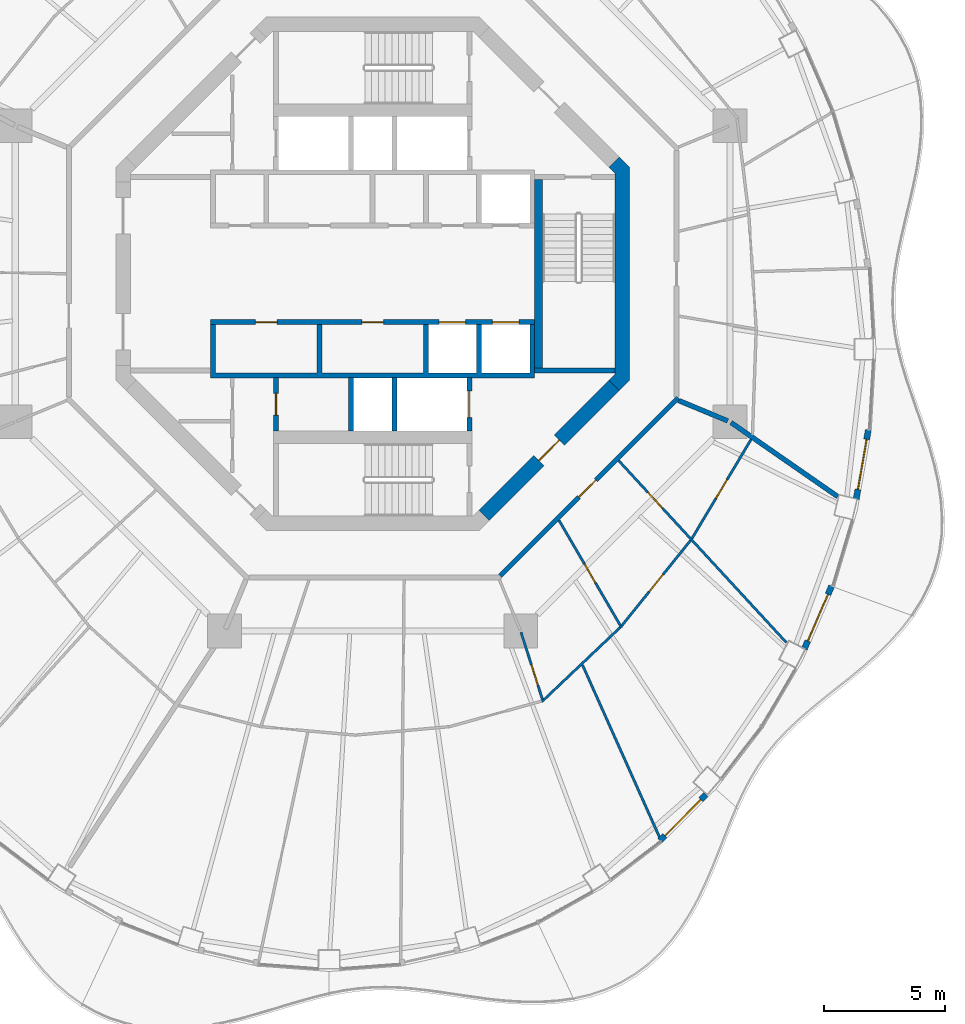
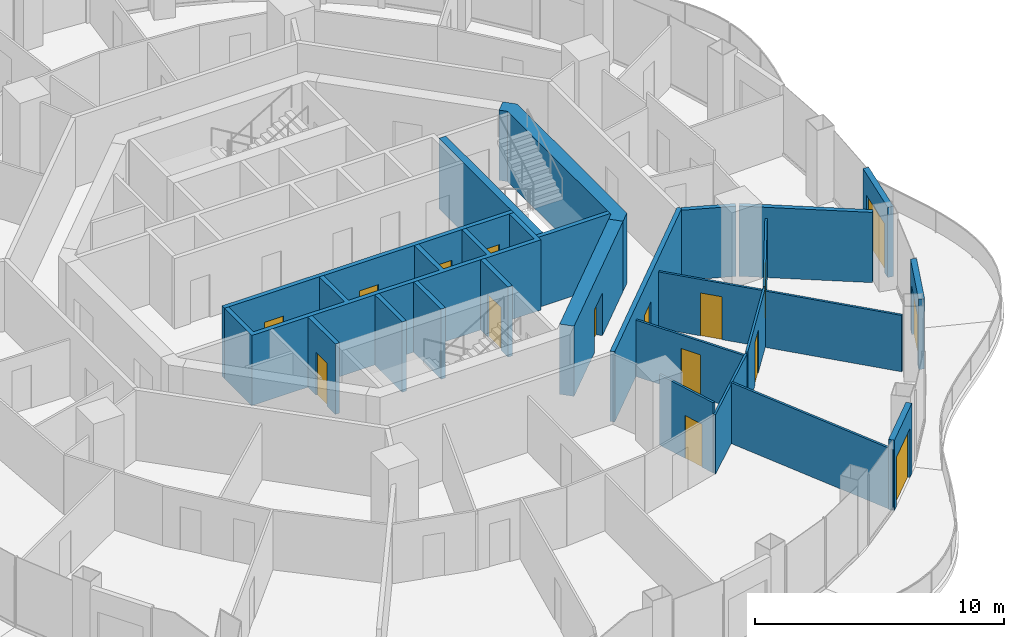
# One storey, part 11 of 17: 23 walls, 16 doors, 16 openings.
"""IFC4 building model written with IfcOpenShell, lengths in metres."""

from ifc_helpers import new_model, si_unit, direction, frame, frame_2d, origin, place, context, subcontext, project, spatial, polyline, rectangle, outline, extrude, material, layer, layer_set, type_object, element, fill, save


model = new_model("IFC4")

# Units and contexts
model_context = context("Model", 3, precision=1e-05, world=origin(), true_north=direction((0.0, 1.0)))
body_context = subcontext(model_context, "Body", "Model", "MODEL_VIEW")
ifc_project = project(units=[si_unit("LENGTHUNIT", "METRE"), si_unit("AREAUNIT", "SQUARE_METRE"), si_unit("VOLUMEUNIT", "CUBIC_METRE"), si_unit("PLANEANGLEUNIT", "RADIAN"), si_unit("MASSUNIT", "GRAM", prefix="KILO")], contexts=[model_context])

# Site, building, storey
site_placement = place(None, origin())
site = spatial("IfcSite", under=ifc_project, at=site_placement, CompositionType="ELEMENT")
building_placement = place(site_placement, origin())
building = spatial("IfcBuilding", under=site, at=building_placement, Name="Nagisa Residences", CompositionType="ELEMENT")
storey_placement = place(building_placement, frame((0.0, 0.0, 265.89990234375)))
storey = spatial("IfcBuildingStorey", under=building, at=storey_placement, Name="L67", CompositionType="ELEMENT", Elevation=265.89990234375)

# Walls
ifc_material_1 = material(Name="Gypsum board on steel studs", Category="steel")
ifc_layer_1 = layer(ifc_material_1, 0.199951171875)
ifc_layer_set_1 = layer_set([ifc_layer_1], Name="Apartment compartment wall EI60 200")
wall_type_1 = type_object("IfcWallType", Name="Apartment compartment wall EI60 200", PredefinedType="PARTITIONING", material=ifc_layer_set_1)
wall_1_placement = place(storey_placement, frame((12.6572265625, -5.24267578125, 0.0), z_axis=(0.0, 0.0, 1.0), x_axis=(0.92383017907, -0.382802560388, 0.0)))
element("IfcWall", 1, at=wall_1_placement, inside=storey, type_object=wall_type_1, Name="wall:L67:u06", PredefinedType="PARTITIONING", context=body_context, shape_type="SweptSolid", body=[
    extrude(rectangle(XDim=2.2001953125, YDim=0.199951171875, at=frame_2d((1.10009765625, 0.0))), origin(), (0.0, 0.0, 1.0), 3.440185546875),
])
wall_2_placement = place(storey_placement, frame((14.8232421875, -6.1513671875, 0.0), z_axis=(0.0, 0.0, 1.0), x_axis=(0.821435065081, -0.570302054928, 0.0)))
element("IfcWall", 2, at=wall_2_placement, inside=storey, type_object=wall_type_1, Name="wall:L67:u07", PredefinedType="PARTITIONING", context=body_context, shape_type="SweptSolid", body=[
    extrude(rectangle(XDim=5.3681640625, YDim=0.199951171875, at=frame_2d((2.68408203125, 0.0))), origin(), (0.0, 0.0, 1.0), 3.440185546875),
])

# Wall, opening, door
ifc_material_2 = material(Name="Gypsum board on steel studs", Category="steel")
ifc_layer_2 = layer(ifc_material_2, 0.199951171875)
ifc_layer_set_2 = layer_set([ifc_layer_2], Name="Apartment entry wall EI60 200")
wall_type_2 = type_object("IfcWallType", Name="Apartment entry wall EI60 200", PredefinedType="PARTITIONING", material=ifc_layer_set_2)
wall_3_placement = place(storey_placement, frame((5.275146484375, -12.494140625, 0.0), z_axis=(0.0, 0.0, 1.0), x_axis=(0.707106781187, 0.707106781187, 0.0)))
wall_3 = element("IfcWall", 3, at=wall_3_placement, inside=storey, type_object=wall_type_2, Name="wall:L67:u15", PredefinedType="PARTITIONING", context=body_context, shape_type="SweptSolid", body=[
    extrude(rectangle(XDim=10.4091796875, YDim=0.199951171875, at=frame_2d((5.20458984375, 0.0))), origin(), (0.0, 0.0, 1.0), 3.440185546875),
])
opening_1_placement = place(wall_3_placement, frame((4.6044921875, 0.0, 0.0)))
opening_1 = element("IfcOpeningElement", 4, at=opening_1_placement, cuts=wall_3, Name="Opening L67-U28", PredefinedType="OPENING", context=body_context, shape_type="SweptSolid", body=[
    extrude(rectangle(XDim=1.0, YDim=2.10009765625, at=frame_2d((0.5, 1.050048828125))), frame((0.0, 0.10986328125, 0.0), z_axis=(0.0, -1.0, 0.0), x_axis=(1.0, 0.0, 0.0)), (0.0, 0.0, 1.0), 0.219970703125),
])
ifc_material_3 = material(Name="Timber fire door set", Category="wood")
door_type_1 = type_object("IfcDoorType", Name="Apartment entry door FD30S 1000x2100", OperationType="NOTDEFINED", PredefinedType="DOOR", material=ifc_material_3)
door_1_placement = place(opening_1_placement, frame((1.0, 0.0, 0.0), x_axis=(-1.0, 0.0, 0.0)))
door_1 = element("IfcDoor", 5, at=door_1_placement, inside=storey, type_object=door_type_1, Name="Entry door, Apartment 67D", OperationType="SINGLE_SWING_LEFT", OverallHeight=2.10009765625, OverallWidth=1.0, PredefinedType="DOOR", context=body_context, shape_type="SweptSolid", body=[
    extrude(rectangle(XDim=1.0, YDim=2.10009765625, at=frame_2d((0.5, 1.050048828125))), frame((0.0, 0.02490234375, 0.0), z_axis=(0.0, -1.0, 0.0), x_axis=(1.0, 0.0, 0.0)), (0.0, 0.0, 1.0), 0.050048828125),
])
fill(opening_1, door_1)

ifc_material_4 = material(Name="Gypsum board on steel studs", Category="steel")
ifc_layer_3 = layer(ifc_material_4, 0.10009765625)
ifc_layer_set_3 = layer_set([ifc_layer_3], Name="Apartment partition 100")
wall_type_3 = type_object("IfcWallType", Name="Apartment partition 100", PredefinedType="PARTITIONING", material=ifc_layer_set_3)
wall_4_placement = place(storey_placement, frame((6.13818359375, -14.82958984375, 0.0), z_axis=(0.0, 0.0, 1.0), x_axis=(0.303665801704, -0.952778610631, 0.0)))
wall_4 = element("IfcWall", 6, at=wall_4_placement, inside=storey, type_object=wall_type_3, Name="wall:L67:u62", PredefinedType="PARTITIONING", context=body_context, shape_type="SweptSolid", body=[
    extrude(rectangle(XDim=2.921630859375, YDim=0.10009765625, at=frame_2d((1.4609375, 0.0))), origin(), (0.0, 0.0, 1.0), 3.440185546875),
])
opening_2_placement = place(wall_4_placement, frame((1.4072265625, 0.0, 0.0)))
opening_2 = element("IfcOpeningElement", 7, at=opening_2_placement, cuts=wall_4, Name="Opening L67-U33", PredefinedType="OPENING", context=body_context, shape_type="SweptSolid", body=[
    extrude(rectangle(XDim=0.89990234375, YDim=2.10009765625, at=frame_2d((0.449951171875, 1.050048828125))), frame((0.0, 0.06005859375, 0.0), z_axis=(0.0, -1.0, 0.0), x_axis=(1.0, 0.0, 0.0)), (0.0, 0.0, 1.0), 0.1201171875),
])
ifc_material_5 = material(Name="Timber door set", Category="wood")
door_type_2 = type_object("IfcDoorType", Name="Apartment door 900x2100", OperationType="NOTDEFINED", PredefinedType="DOOR", material=ifc_material_5)
door_2_placement = place(opening_2_placement, frame((0.89990234375, 0.0, 0.0), x_axis=(-1.0, 0.0, 0.0)))
door_2 = element("IfcDoor", 8, at=door_2_placement, inside=storey, type_object=door_type_2, Name="Door to laundry, Apartment 67D", OperationType="SINGLE_SWING_RIGHT", OverallHeight=2.10009765625, OverallWidth=0.89990234375, PredefinedType="DOOR", context=body_context, shape_type="SweptSolid", body=[
    extrude(rectangle(XDim=0.89990234375, YDim=2.10009765625, at=frame_2d((0.449951171875, 1.050048828125))), frame((0.0, 0.02490234375, 0.0), z_axis=(0.0, -1.0, 0.0), x_axis=(1.0, 0.0, 0.0)), (0.0, 0.0, 1.0), 0.050048828125),
])
fill(opening_2, door_2)

# Walls
wall_5_placement = place(storey_placement, frame((7.004150390625, -17.6953125, 0.0), z_axis=(0.0, 0.0, 1.0), x_axis=(0.725438442765, 0.68828705186, 0.0)))
element("IfcWall", 9, at=wall_5_placement, inside=storey, type_object=wall_type_3, Name="wall:L67:u63", PredefinedType="PARTITIONING", context=body_context, shape_type="SweptSolid", body=[
    extrude(rectangle(XDim=4.45556640625, YDim=0.10009765625, at=frame_2d((2.227783203125, 0.0))), origin(), (0.0, 0.0, 1.0), 2.905029296875),
])
wall_6_placement = place(storey_placement, frame((8.677001953125, -16.17333984375, 0.0), z_axis=(0.0, 0.0, 1.0), x_axis=(0.408174671437, -0.912903849043, 0.0)))
element("IfcWall", 10, at=wall_6_placement, inside=storey, type_object=wall_type_3, Name="wall:L67:u64", PredefinedType="PARTITIONING", context=body_context, shape_type="SweptSolid", body=[
    extrude(rectangle(XDim=8.028076171875, YDim=0.10009765625, at=frame_2d((4.01416015625, 0.0))), origin(), (0.0, 0.0, 1.0), 2.983154296875),
])

# Wall, opening, door
wall_7_placement = place(storey_placement, frame((7.708251953125, -10.19775390625, 0.0), z_axis=(0.0, 0.0, 1.0), x_axis=(0.503838537732, -0.863797851292, 0.0)))
wall_7 = element("IfcWall", 11, at=wall_7_placement, inside=storey, type_object=wall_type_3, Name="wall:L67:u65", PredefinedType="PARTITIONING", context=body_context, shape_type="SweptSolid", body=[
    extrude(rectangle(XDim=5.1396484375, YDim=0.10009765625, at=frame_2d((2.56982421875, 0.0))), origin(), (0.0, 0.0, 1.0), 2.76220703125),
])
opening_3_placement = place(wall_7_placement, frame((2.094970703125, 0.0, 0.0)))
opening_3 = element("IfcOpeningElement", 12, at=opening_3_placement, cuts=wall_7, Name="Opening L67-U29", PredefinedType="OPENING", context=body_context, shape_type="SweptSolid", body=[
    extrude(rectangle(XDim=0.89990234375, YDim=2.10009765625, at=frame_2d((0.449951171875, 1.050048828125))), frame((0.0, 0.06005859375, 0.0), z_axis=(0.0, -1.0, 0.0), x_axis=(1.0, 0.0, 0.0)), (0.0, 0.0, 1.0), 0.1201171875),
])
door_3_placement = place(opening_3_placement, frame((0.89990234375, 0.0, 0.0), x_axis=(-1.0, 0.0, 0.0)))
door_3 = element("IfcDoor", 13, at=door_3_placement, inside=storey, type_object=door_type_2, Name="Door to family bathroom, Apartment 67D", OperationType="SINGLE_SWING_RIGHT", OverallHeight=2.10009765625, OverallWidth=0.89990234375, PredefinedType="DOOR", context=body_context, shape_type="SweptSolid", body=[
    extrude(rectangle(XDim=0.89990234375, YDim=2.10009765625, at=frame_2d((0.449951171875, 1.050048828125))), frame((0.0, 0.02490234375, 0.0), z_axis=(0.0, -1.0, 0.0), x_axis=(1.0, 0.0, 0.0)), (0.0, 0.0, 1.0), 0.050048828125),
])
fill(opening_3, door_3)

wall_8_placement = place(storey_placement, frame((10.303955078125, -14.555419921875, 0.0), z_axis=(0.0, 0.0, 1.0), x_axis=(0.628170338674, 0.778075848237, 0.0)))
wall_8 = element("IfcWall", 14, at=wall_8_placement, inside=storey, type_object=wall_type_3, Name="wall:L67:u66", PredefinedType="PARTITIONING", context=body_context, shape_type="SweptSolid", body=[
    extrude(rectangle(XDim=4.532470703125, YDim=0.10009765625, at=frame_2d((2.26611328125, 0.0))), origin(), (0.0, 0.0, 1.0), 2.905029296875),
])
opening_4_placement = place(wall_8_placement, frame((1.816162109375, 0.0, 0.0)))
opening_4 = element("IfcOpeningElement", 15, at=opening_4_placement, cuts=wall_8, Name="Opening L67-U31", PredefinedType="OPENING", context=body_context, shape_type="SweptSolid", body=[
    extrude(rectangle(XDim=0.89990234375, YDim=2.10009765625, at=frame_2d((0.449951171875, 1.050048828125))), frame((0.0, 0.06005859375, 0.0), z_axis=(0.0, -1.0, 0.0), x_axis=(1.0, 0.0, 0.0)), (0.0, 0.0, 1.0), 0.1201171875),
])
door_4_placement = place(opening_4_placement, frame((0.89990234375, 0.0, 0.0), x_axis=(-1.0, 0.0, 0.0)))
door_4 = element("IfcDoor", 16, at=door_4_placement, inside=storey, type_object=door_type_2, Name="Door to master bedroom, Apartment 67D", OperationType="SINGLE_SWING_RIGHT", OverallHeight=2.10009765625, OverallWidth=0.89990234375, PredefinedType="DOOR", context=body_context, shape_type="SweptSolid", body=[
    extrude(rectangle(XDim=0.89990234375, YDim=2.10009765625, at=frame_2d((0.449951171875, 1.050048828125))), frame((0.0, 0.02490234375, 0.0), z_axis=(0.0, -1.0, 0.0), x_axis=(1.0, 0.0, 0.0)), (0.0, 0.0, 1.0), 0.050048828125),
])
fill(opening_4, door_4)

wall_9_placement = place(storey_placement, frame((10.17919921875, -7.7314453125, 0.0), z_axis=(0.0, 0.0, 1.0), x_axis=(0.67775318564, -0.73528947997, 0.0)))
wall_9 = element("IfcWall", 17, at=wall_9_placement, inside=storey, type_object=wall_type_3, Name="wall:L67:u67", PredefinedType="PARTITIONING", context=body_context, shape_type="SweptSolid", body=[
    extrude(rectangle(XDim=10.221923828125, YDim=0.10009765625, at=frame_2d((5.11083984375, 0.0))), origin(), (0.0, 0.0, 1.0), 2.76220703125),
])
opening_5_placement = place(wall_9_placement, frame((1.765625, 0.0, 0.0)))
opening_5 = element("IfcOpeningElement", 18, at=opening_5_placement, cuts=wall_9, Name="Opening L67-U30", PredefinedType="OPENING", context=body_context, shape_type="SweptSolid", body=[
    extrude(rectangle(XDim=0.89990234375, YDim=2.10009765625, at=frame_2d((0.449951171875, 1.050048828125))), frame((0.0, 0.06005859375, 0.0), z_axis=(0.0, -1.0, 0.0), x_axis=(1.0, 0.0, 0.0)), (0.0, 0.0, 1.0), 0.1201171875),
])
door_5_placement = place(opening_5_placement, origin())
door_5 = element("IfcDoor", 19, at=door_5_placement, inside=storey, type_object=door_type_2, Name="Door to laundry, Apartment 67D", OperationType="SINGLE_SWING_RIGHT", OverallHeight=2.10009765625, OverallWidth=0.89990234375, PredefinedType="DOOR", context=body_context, shape_type="SweptSolid", body=[
    extrude(rectangle(XDim=0.89990234375, YDim=2.10009765625, at=frame_2d((0.449951171875, 1.050048828125))), frame((0.0, 0.02490234375, 0.0), z_axis=(0.0, -1.0, 0.0), x_axis=(1.0, 0.0, 0.0)), (0.0, 0.0, 1.0), 0.050048828125),
])
fill(opening_5, door_5)

wall_10_placement = place(storey_placement, frame((13.208251953125, -10.947021484375, 0.0), z_axis=(0.0, 0.0, 1.0), x_axis=(0.512726452516, 0.858552028063, 0.0)))
wall_10 = element("IfcWall", 20, at=wall_10_placement, inside=storey, type_object=wall_type_3, Name="wall:L67:u68", PredefinedType="PARTITIONING", context=body_context, shape_type="SweptSolid", body=[
    extrude(rectangle(XDim=4.771728515625, YDim=0.10009765625, at=frame_2d((2.3857421875, 0.0))), origin(), (0.0, 0.0, 1.0), 2.905029296875),
])
opening_6_placement = place(wall_10_placement, frame((1.935791015625, 0.0, 0.0)))
opening_6 = element("IfcOpeningElement", 21, at=opening_6_placement, cuts=wall_10, Name="Opening L67-U32", PredefinedType="OPENING", context=body_context, shape_type="SweptSolid", body=[
    extrude(rectangle(XDim=0.89990234375, YDim=2.10009765625, at=frame_2d((0.449951171875, 1.050048828125))), frame((0.0, 0.06005859375, 0.0), z_axis=(0.0, -1.0, 0.0), x_axis=(1.0, 0.0, 0.0)), (0.0, 0.0, 1.0), 0.1201171875),
])
door_6_placement = place(opening_6_placement, frame((0.89990234375, 0.0, 0.0), x_axis=(-1.0, 0.0, 0.0)))
door_6 = element("IfcDoor", 22, at=door_6_placement, inside=storey, type_object=door_type_2, Name="Door to kitchen, Apartment 67D", OperationType="SINGLE_SWING_LEFT", OverallHeight=2.10009765625, OverallWidth=0.89990234375, PredefinedType="DOOR", context=body_context, shape_type="SweptSolid", body=[
    extrude(rectangle(XDim=0.89990234375, YDim=2.10009765625, at=frame_2d((0.449951171875, 1.050048828125))), frame((0.0, 0.02490234375, 0.0), z_axis=(0.0, -1.0, 0.0), x_axis=(1.0, 0.0, 0.0)), (0.0, 0.0, 1.0), 0.050048828125),
])
fill(opening_6, door_6)

ifc_material_6 = material(Name="Precast concrete C40/50", Category="concrete")
ifc_layer_4 = layer(ifc_material_6, 0.25)
ifc_layer_set_4 = layer_set([ifc_layer_4], Name="BALCONY DOOR WALL 250")
wall_type_4 = type_object("IfcWallType", Name="BALCONY DOOR WALL 250", PredefinedType="SOLIDWALL", material=ifc_layer_set_4)
wall_11_placement = place(storey_placement, frame((13.787841796875, -21.548095703125, 0.0), z_axis=(0.0, 0.0, 1.0), x_axis=(-0.707831739508, -0.706381078841, 0.0)))
wall_11 = element("IfcWall", 23, at=wall_11_placement, inside=storey, type_object=wall_type_4, Name="wall:L67:bay41", PredefinedType="SOLIDWALL", context=body_context, shape_type="SweptSolid", body=[
    extrude(rectangle(XDim=2.692626953125, YDim=0.25, at=frame_2d((1.34619140625, 0.0))), origin(), (0.0, 0.0, 1.0), 3.440185546875),
])
opening_7_placement = place(wall_11_placement, frame((0.29638671875, 0.0, 0.0)))
opening_7 = element("IfcOpeningElement", 24, at=opening_7_placement, cuts=wall_11, Name="Opening BD-L67-14", PredefinedType="OPENING", context=body_context, shape_type="SweptSolid", body=[
    extrude(rectangle(XDim=2.10009765625, YDim=2.39990234375, at=frame_2d((1.050048828125, 1.199951171875))), frame((0.0, 0.135009765625, 0.0), z_axis=(0.0, -1.0, 0.0), x_axis=(1.0, 0.0, 0.0)), (0.0, 0.0, 1.0), 0.27001953125),
])
ifc_material_7 = material(Name="Aluminium and clear glass", Category="aluminium")
door_type_3 = type_object("IfcDoorType", Name="BALCONY SLIDING DOOR 2100x2400", OperationType="SLIDING_TO_LEFT", PredefinedType="DOOR", material=ifc_material_7)
door_7_placement = place(opening_7_placement, origin())
door_7 = element("IfcDoor", 25, at=door_7_placement, inside=storey, type_object=door_type_3, Name="door:L67:bay41", OperationType="SLIDING_TO_LEFT", OverallHeight=2.39990234375, OverallWidth=2.10009765625, PredefinedType="DOOR", context=body_context, shape_type="SweptSolid", body=[
    extrude(rectangle(XDim=2.10009765625, YDim=2.39990234375, at=frame_2d((1.050048828125, 1.199951171875))), frame((0.0, 0.02490234375, 0.0), z_axis=(0.0, -1.0, 0.0), x_axis=(1.0, 0.0, 0.0)), (0.0, 0.0, 1.0), 0.050048828125),
])
fill(opening_7, door_7)

wall_12_placement = place(storey_placement, frame((18.9833984375, -12.918212890625, 0.0), z_axis=(0.0, 0.0, 1.0), x_axis=(-0.397597791596, -0.9175598052, 0.0)))
wall_12 = element("IfcWall", 26, at=wall_12_placement, inside=storey, type_object=wall_type_4, Name="wall:L67:bay44", PredefinedType="SOLIDWALL", context=body_context, shape_type="SweptSolid", body=[
    extrude(rectangle(XDim=2.841064453125, YDim=0.25, at=frame_2d((1.42041015625, 0.0))), origin(), (0.0, 0.0, 1.0), 3.440185546875),
])
opening_8_placement = place(wall_12_placement, frame((0.37060546875, 0.0, 0.0)))
opening_8 = element("IfcOpeningElement", 27, at=opening_8_placement, cuts=wall_12, Name="Opening BD-L67-15", PredefinedType="OPENING", context=body_context, shape_type="SweptSolid", body=[
    extrude(rectangle(XDim=2.10009765625, YDim=2.39990234375, at=frame_2d((1.050048828125, 1.199951171875))), frame((0.0, 0.135009765625, 0.0), z_axis=(0.0, -1.0, 0.0), x_axis=(1.0, 0.0, 0.0)), (0.0, 0.0, 1.0), 0.27001953125),
])
door_8_placement = place(opening_8_placement, origin())
door_8 = element("IfcDoor", 28, at=door_8_placement, inside=storey, type_object=door_type_3, Name="door:L67:bay44", OperationType="SLIDING_TO_LEFT", OverallHeight=2.39990234375, OverallWidth=2.10009765625, PredefinedType="DOOR", context=body_context, shape_type="SweptSolid", body=[
    extrude(rectangle(XDim=2.10009765625, YDim=2.39990234375, at=frame_2d((1.050048828125, 1.199951171875))), frame((0.0, 0.02490234375, 0.0), z_axis=(0.0, -1.0, 0.0), x_axis=(1.0, 0.0, 0.0)), (0.0, 0.0, 1.0), 0.050048828125),
])
fill(opening_8, door_8)

wall_13_placement = place(storey_placement, frame((20.50341796875, -6.455810546875, 0.0), z_axis=(0.0, 0.0, 1.0), x_axis=(-0.172182411767, -0.985065082661, 0.0)))
wall_13 = element("IfcWall", 29, at=wall_13_placement, inside=storey, type_object=wall_type_4, Name="wall:L67:bay46", PredefinedType="SOLIDWALL", context=body_context, shape_type="SweptSolid", body=[
    extrude(rectangle(XDim=2.902587890625, YDim=0.25, at=frame_2d((1.451171875, 0.0))), origin(), (0.0, 0.0, 1.0), 3.440185546875),
])
opening_9_placement = place(wall_13_placement, frame((0.401123046875, 0.0, 0.0)))
opening_9 = element("IfcOpeningElement", 30, at=opening_9_placement, cuts=wall_13, Name="Opening BD-L67-16", PredefinedType="OPENING", context=body_context, shape_type="SweptSolid", body=[
    extrude(rectangle(XDim=2.10009765625, YDim=2.39990234375, at=frame_2d((1.050048828125, 1.199951171875))), frame((0.0, 0.135009765625, 0.0), z_axis=(0.0, -1.0, 0.0), x_axis=(1.0, 0.0, 0.0)), (0.0, 0.0, 1.0), 0.27001953125),
])
door_9_placement = place(opening_9_placement, origin())
door_9 = element("IfcDoor", 31, at=door_9_placement, inside=storey, type_object=door_type_3, Name="door:L67:bay46", OperationType="SLIDING_TO_LEFT", OverallHeight=2.39990234375, OverallWidth=2.10009765625, PredefinedType="DOOR", context=body_context, shape_type="SweptSolid", body=[
    extrude(rectangle(XDim=2.10009765625, YDim=2.39990234375, at=frame_2d((1.050048828125, 1.199951171875))), frame((0.0, 0.02490234375, 0.0), z_axis=(0.0, -1.0, 0.0), x_axis=(1.0, 0.0, 0.0)), (0.0, 0.0, 1.0), 0.050048828125),
])
fill(opening_9, door_9)

ifc_material_8 = material(Name="Concrete C60", Category="concrete")
ifc_layer_5 = layer(ifc_material_8, 0.60009765625)
ifc_layer_set_5 = layer_set([ifc_layer_5], Name="Core shear wall 600")
wall_type_5 = type_object("IfcWallType", Name="Core shear wall 600", PredefinedType="SHEAR", material=ifc_layer_set_5)
wall_14_placement = place(storey_placement, frame((4.613037109375, -9.98828125, 0.0), z_axis=(0.0, 0.0, 1.0), x_axis=(0.707106781187, 0.707106781187, 0.0)))
wall_14 = element("IfcWall", 32, at=wall_14_placement, inside=storey, type_object=wall_type_5, Name="wall:L67:core:flat7", PredefinedType="SHEAR", context=body_context, shape_type="SweptSolid", body=[
    extrude(rectangle(XDim=7.601806640625, YDim=0.60009765625, at=frame_2d((3.80078125, 0.0))), origin(), (0.0, 0.0, 1.0), 3.440185546875),
])
opening_10_placement = place(wall_14_placement, frame((3.200927734375, 0.0, 0.0)))
opening_10 = element("IfcOpeningElement", 33, at=opening_10_placement, cuts=wall_14, Name="Opening L67-C22", PredefinedType="OPENING", context=body_context, shape_type="SweptSolid", body=[
    extrude(rectangle(XDim=1.199951171875, YDim=2.10009765625, at=frame_2d((0.60009765625, 1.050048828125))), frame((0.0, 0.31005859375, 0.0), z_axis=(0.0, -1.0, 0.0), x_axis=(1.0, 0.0, 0.0)), (0.0, 0.0, 1.0), 0.6201171875),
])
ifc_material_9 = material(Name="Steel fire door", Category="steel")
door_type_4 = type_object("IfcDoorType", Name="Fire door EI60 1200x2100 single swing", OperationType="NOTDEFINED", PredefinedType="DOOR", material=ifc_material_9)
door_10_placement = place(opening_10_placement, origin())
door_10 = element("IfcDoor", 34, at=door_10_placement, inside=storey, type_object=door_type_4, Name="Firefighting lobby 2 door L67", OperationType="SINGLE_SWING_RIGHT", OverallHeight=2.10009765625, OverallWidth=1.199951171875, PredefinedType="DOOR", context=body_context, shape_type="SweptSolid", body=[
    extrude(rectangle(XDim=1.199951171875, YDim=2.10009765625, at=frame_2d((0.60009765625, 1.050048828125))), frame((0.0, 0.02490234375, 0.0), z_axis=(0.0, -1.0, 0.0), x_axis=(1.0, 0.0, 0.0)), (0.0, 0.0, 1.0), 0.050048828125),
])
fill(opening_10, door_10)

# Wall
wall_15_placement = place(storey_placement, origin())
element("IfcWall", 35, at=wall_15_placement, inside=storey, type_object=wall_type_5, Name="wall:L67:core:flat0", PredefinedType="SHEAR", context=body_context, shape_type="SweptSolid", body=[
    extrude(outline(polyline([(9.776123046875, -4.40087890625), (10.024658203125, -4.15234375), (10.024658203125, -3.801025390625), (10.024658203125, 4.15234375), (9.776123046875, 4.40087890625), (10.200439453125, 4.8251953125), (10.62451171875, 4.40087890625), (10.62451171875, -4.40087890625), (10.200439453125, -4.8251953125), (9.776123046875, -4.40087890625)])), origin(), (0.0, 0.0, 1.0), 3.440185546875),
])

# Wall, opening, door
ifc_material_10 = material(Name="Concrete C60", Category="concrete")
ifc_layer_6 = layer(ifc_material_10, 0.199951171875)
ifc_layer_set_6 = layer_set([ifc_layer_6], Name="Lift shaft wall 200")
wall_type_6 = type_object("IfcWallType", Name="Lift shaft wall 200", PredefinedType="SOLIDWALL", material=ifc_layer_set_6)
wall_16_placement = place(storey_placement, frame((4.0, -6.5, 0.0), z_axis=(0.0, 0.0, 1.0), x_axis=(0.0, 1.0, 0.0)))
wall_16 = element("IfcWall", 36, at=wall_16_placement, inside=storey, type_object=wall_type_6, Name="wall:L67:Sb3", PredefinedType="SOLIDWALL", context=body_context, shape_type="SweptSolid", body=[
    extrude(rectangle(XDim=2.199951171875, YDim=0.199951171875, at=frame_2d((1.10009765625, 0.0))), origin(), (0.0, 0.0, 1.0), 3.440185546875),
])
opening_11_placement = place(wall_16_placement, frame((0.550048828125, 0.0, 0.0)))
opening_11 = element("IfcOpeningElement", 37, at=opening_11_placement, cuts=wall_16, Name="Opening L67-C05", PredefinedType="OPENING", context=body_context, shape_type="SweptSolid", body=[
    extrude(rectangle(XDim=1.10009765625, YDim=2.10009765625, at=frame_2d((0.550048828125, 1.050048828125))), frame((0.0, 0.10986328125, 0.0), z_axis=(0.0, -1.0, 0.0), x_axis=(1.0, 0.0, 0.0)), (0.0, 0.0, 1.0), 0.219970703125),
])
ifc_material_11 = material(Name="Stainless steel", Category="steel")
door_type_5 = type_object("IfcDoorType", Name="Lift landing door 1100x2100", OperationType="DOUBLE_DOOR_SLIDING", PredefinedType="DOOR", material=ifc_material_11)
door_11_placement = place(opening_11_placement, origin())
door_11 = element("IfcDoor", 38, at=door_11_placement, inside=storey, type_object=door_type_5, Name="Landing door FL2 L67", OperationType="DOUBLE_DOOR_SLIDING", OverallHeight=2.10009765625, OverallWidth=1.10009765625, PredefinedType="DOOR", context=body_context, shape_type="SweptSolid", body=[
    extrude(rectangle(XDim=1.10009765625, YDim=2.10009765625, at=frame_2d((0.550048828125, 1.050048828125))), frame((0.0, 0.02490234375, 0.0), z_axis=(0.0, -1.0, 0.0), x_axis=(1.0, 0.0, 0.0)), (0.0, 0.0, 1.0), 0.050048828125),
])
fill(opening_11, door_11)

wall_17_placement = place(storey_placement, frame((-4.0, -6.5, 0.0), z_axis=(0.0, 0.0, 1.0), x_axis=(0.0, 1.0, 0.0)))
wall_17 = element("IfcWall", 39, at=wall_17_placement, inside=storey, type_object=wall_type_6, Name="wall:L67:Sb4", PredefinedType="SOLIDWALL", context=body_context, shape_type="SweptSolid", body=[
    extrude(rectangle(XDim=2.199951171875, YDim=0.199951171875, at=frame_2d((1.10009765625, 0.0))), origin(), (0.0, 0.0, 1.0), 3.440185546875),
])
opening_12_placement = place(wall_17_placement, frame((0.64990234375, 0.0, 0.0)))
opening_12 = element("IfcOpeningElement", 40, at=opening_12_placement, cuts=wall_17, Name="Opening L67-C14", PredefinedType="OPENING", context=body_context, shape_type="SweptSolid", body=[
    extrude(rectangle(XDim=0.89990234375, YDim=2.10009765625, at=frame_2d((0.449951171875, 1.050048828125))), frame((0.0, 0.10986328125, 0.0), z_axis=(0.0, -1.0, 0.0), x_axis=(1.0, 0.0, 0.0)), (0.0, 0.0, 1.0), 0.219970703125),
])
ifc_material_12 = material(Name="Steel fire door", Category="steel")
door_type_6 = type_object("IfcDoorType", Name="Fire door EI30 900x2100 single swing", OperationType="NOTDEFINED", PredefinedType="DOOR", material=ifc_material_12)
door_12_placement = place(opening_12_placement, frame((0.89990234375, 0.0, 0.0), x_axis=(-1.0, 0.0, 0.0)))
door_12 = element("IfcDoor", 41, at=door_12_placement, inside=storey, type_object=door_type_6, Name="Refuse room door L67", OperationType="SINGLE_SWING_LEFT", OverallHeight=2.10009765625, OverallWidth=0.89990234375, PredefinedType="DOOR", context=body_context, shape_type="SweptSolid", body=[
    extrude(rectangle(XDim=0.89990234375, YDim=2.10009765625, at=frame_2d((0.449951171875, 1.050048828125))), frame((0.0, 0.02490234375, 0.0), z_axis=(0.0, -1.0, 0.0), x_axis=(1.0, 0.0, 0.0)), (0.0, 0.0, 1.0), 0.050048828125),
])
fill(opening_12, door_12)

# Wall, openings, doors
wall_18_placement = place(storey_placement, frame((-6.699951171875, -2.0, 0.0), z_axis=(0.0, 0.0, 1.0), x_axis=(1.0, 0.0, 0.0)))
wall_18 = element("IfcWall", 42, at=wall_18_placement, inside=storey, type_object=wall_type_6, Name="wall:L67:Sfront", PredefinedType="SOLIDWALL", context=body_context, shape_type="SweptSolid", body=[
    extrude(rectangle(XDim=13.39990234375, YDim=0.199951171875, at=frame_2d((6.699951171875, 0.0))), origin(), (0.0, 0.0, 1.0), 3.440185546875),
])
opening_13_placement = place(wall_18_placement, frame((9.449951171875, 0.0, 0.0)))
opening_13 = element("IfcOpeningElement", 43, at=opening_13_placement, cuts=wall_18, Name="Opening L67-C02", PredefinedType="OPENING", context=body_context, shape_type="SweptSolid", body=[
    extrude(rectangle(XDim=1.10009765625, YDim=2.10009765625, at=frame_2d((0.550048828125, 1.050048828125))), frame((0.0, 0.10986328125, 0.0), z_axis=(0.0, -1.0, 0.0), x_axis=(1.0, 0.0, 0.0)), (0.0, 0.0, 1.0), 0.219970703125),
])
opening_14_placement = place(wall_18_placement, frame((11.64990234375, 0.0, 0.0)))
opening_14 = element("IfcOpeningElement", 44, at=opening_14_placement, cuts=wall_18, Name="Opening L67-C03", PredefinedType="OPENING", context=body_context, shape_type="SweptSolid", body=[
    extrude(rectangle(XDim=1.10009765625, YDim=2.10009765625, at=frame_2d((0.550048828125, 1.050048828125))), frame((0.0, 0.10986328125, 0.0), z_axis=(0.0, -1.0, 0.0), x_axis=(1.0, 0.0, 0.0)), (0.0, 0.0, 1.0), 0.219970703125),
])
opening_15_placement = place(wall_18_placement, frame((1.85009765625, 0.0, 0.0)))
opening_15 = element("IfcOpeningElement", 45, at=opening_15_placement, cuts=wall_18, Name="Opening L67-C19", PredefinedType="OPENING", context=body_context, shape_type="SweptSolid", body=[
    extrude(rectangle(XDim=0.89990234375, YDim=2.10009765625, at=frame_2d((0.449951171875, 1.050048828125))), frame((0.0, 0.10986328125, 0.0), z_axis=(0.0, -1.0, 0.0), x_axis=(1.0, 0.0, 0.0)), (0.0, 0.0, 1.0), 0.219970703125),
])
opening_16_placement = place(wall_18_placement, frame((6.25, 0.0, 0.0)))
opening_16 = element("IfcOpeningElement", 46, at=opening_16_placement, cuts=wall_18, Name="Opening L67-C20", PredefinedType="OPENING", context=body_context, shape_type="SweptSolid", body=[
    extrude(rectangle(XDim=0.89990234375, YDim=2.10009765625, at=frame_2d((0.449951171875, 1.050048828125))), frame((0.0, 0.10986328125, 0.0), z_axis=(0.0, -1.0, 0.0), x_axis=(1.0, 0.0, 0.0)), (0.0, 0.0, 1.0), 0.219970703125),
])
door_13_placement = place(opening_15_placement, frame((0.89990234375, 0.0, 0.0), x_axis=(-1.0, 0.0, 0.0)))
door_13 = element("IfcDoor", 47, at=door_13_placement, inside=storey, type_object=door_type_6, Name="Tea preparation door L67", OperationType="SINGLE_SWING_RIGHT", OverallHeight=2.10009765625, OverallWidth=0.89990234375, PredefinedType="DOOR", context=body_context, shape_type="SweptSolid", body=[
    extrude(rectangle(XDim=0.89990234375, YDim=2.10009765625, at=frame_2d((0.449951171875, 1.050048828125))), frame((0.0, 0.02490234375, 0.0), z_axis=(0.0, -1.0, 0.0), x_axis=(1.0, 0.0, 0.0)), (0.0, 0.0, 1.0), 0.050048828125),
])
fill(opening_15, door_13)
door_14_placement = place(opening_16_placement, frame((0.89990234375, 0.0, 0.0), x_axis=(-1.0, 0.0, 0.0)))
door_14 = element("IfcDoor", 48, at=door_14_placement, inside=storey, type_object=door_type_6, Name="Housekeeping store door L67", OperationType="SINGLE_SWING_RIGHT", OverallHeight=2.10009765625, OverallWidth=0.89990234375, PredefinedType="DOOR", context=body_context, shape_type="SweptSolid", body=[
    extrude(rectangle(XDim=0.89990234375, YDim=2.10009765625, at=frame_2d((0.449951171875, 1.050048828125))), frame((0.0, 0.02490234375, 0.0), z_axis=(0.0, -1.0, 0.0), x_axis=(1.0, 0.0, 0.0)), (0.0, 0.0, 1.0), 0.050048828125),
])
fill(opening_16, door_14)
door_15_placement = place(opening_13_placement, origin())
door_15 = element("IfcDoor", 49, at=door_15_placement, inside=storey, type_object=door_type_5, Name="Landing door C2 L67", OperationType="DOUBLE_DOOR_SLIDING", OverallHeight=2.10009765625, OverallWidth=1.10009765625, PredefinedType="DOOR", context=body_context, shape_type="SweptSolid", body=[
    extrude(rectangle(XDim=1.10009765625, YDim=2.10009765625, at=frame_2d((0.550048828125, 1.050048828125))), frame((0.0, 0.02490234375, 0.0), z_axis=(0.0, -1.0, 0.0), x_axis=(1.0, 0.0, 0.0)), (0.0, 0.0, 1.0), 0.050048828125),
])
fill(opening_13, door_15)
door_16_placement = place(opening_14_placement, origin())
door_16 = element("IfcDoor", 50, at=door_16_placement, inside=storey, type_object=door_type_5, Name="Landing door C3 L67", OperationType="DOUBLE_DOOR_SLIDING", OverallHeight=2.10009765625, OverallWidth=1.10009765625, PredefinedType="DOOR", context=body_context, shape_type="SweptSolid", body=[
    extrude(rectangle(XDim=1.10009765625, YDim=2.10009765625, at=frame_2d((0.550048828125, 1.050048828125))), frame((0.0, 0.02490234375, 0.0), z_axis=(0.0, -1.0, 0.0), x_axis=(1.0, 0.0, 0.0)), (0.0, 0.0, 1.0), 0.050048828125),
])
fill(opening_14, door_16)

# Walls
for number, where, z_axis, x_axis, name in (
    (51, (-0.89990234375, -6.5, 0.0), (0.0, 0.0, 1.0), (0.0, 1.0, 0.0), "wall:L67:Sb1"),
    (52, (0.89990234375, -6.5, 0.0), (0.0, 0.0, 1.0), (0.0, 1.0, 0.0), "wall:L67:Sb2"),
):
    element("IfcWall", number, at=place(storey_placement, frame(where, z_axis=z_axis, x_axis=x_axis)), inside=storey, type_object=wall_type_6, Name=name, PredefinedType="SOLIDWALL", context=body_context, shape_type="SweptSolid", body=[
        extrude(rectangle(XDim=2.199951171875, YDim=0.199951171875, at=frame_2d((1.10009765625, 0.0))), origin(), (0.0, 0.0, 1.0), 3.440185546875),
    ])
wall_19_placement = place(storey_placement, origin())
element("IfcWall", 53, at=wall_19_placement, inside=storey, type_object=wall_type_6, Name="wall:L67:Sback", PredefinedType="SOLIDWALL", context=body_context, shape_type="SweptSolid", body=[
    extrude(outline(polyline([(-6.699951171875, -2.10009765625), (-6.5, -2.10009765625), (-6.5, -4.10009765625), (-2.300048828125, -4.10009765625), (-2.300048828125, -2.10009765625), (-2.10009765625, -2.10009765625), (-2.10009765625, -4.10009765625), (2.10009765625, -4.10009765625), (2.10009765625, -2.10009765625), (2.300048828125, -2.10009765625), (2.300048828125, -4.10009765625), (4.300048828125, -4.10009765625), (4.300048828125, -2.10009765625), (4.5, -2.10009765625), (4.5, -4.10009765625), (6.5, -4.10009765625), (6.5, -2.10009765625), (6.699951171875, -2.10009765625), (6.699951171875, -4.300048828125), (-6.699951171875, -4.300048828125), (-6.699951171875, -2.10009765625)])), origin(), (0.0, 0.0, 1.0), 3.440185546875),
])
ifc_material_13 = material(Name="Concrete C60", Category="concrete")
ifc_layer_7 = layer(ifc_material_13, 0.199951171875)
ifc_layer_set_7 = layer_set([ifc_layer_7], Name="Stair enclosure wall 200")
wall_type_7 = type_object("IfcWallType", Name="Stair enclosure wall 200", PredefinedType="SOLIDWALL", material=ifc_layer_set_7)
wall_20_placement = place(storey_placement, origin())
element("IfcWall", 54, at=wall_20_placement, inside=storey, type_object=wall_type_7, Name="wall:L67:SE_w", PredefinedType="SOLIDWALL", context=body_context, shape_type="SweptSolid", body=[
    extrude(outline(polyline([(7.024658203125, -3.89990234375), (6.699951171875, -3.89990234375), (6.699951171875, 3.89990234375), (7.024658203125, 3.89990234375), (7.024658203125, -3.89990234375)])), origin(), (0.0, 0.0, 1.0), 3.440185546875),
])
wall_21_placement = place(storey_placement, origin())
element("IfcWall", 55, at=wall_21_placement, inside=storey, type_object=wall_type_7, Name="wall:L67:SE_s", PredefinedType="SOLIDWALL", context=body_context, shape_type="SweptSolid", body=[
    extrude(outline(polyline([(10.024658203125, -4.10009765625), (6.699951171875, -4.10009765625), (6.699951171875, -3.89990234375), (10.024658203125, -3.89990234375), (10.024658203125, -4.10009765625)])), origin(), (0.0, 0.0, 1.0), 3.440185546875),
])

save(model, "model.ifc")
